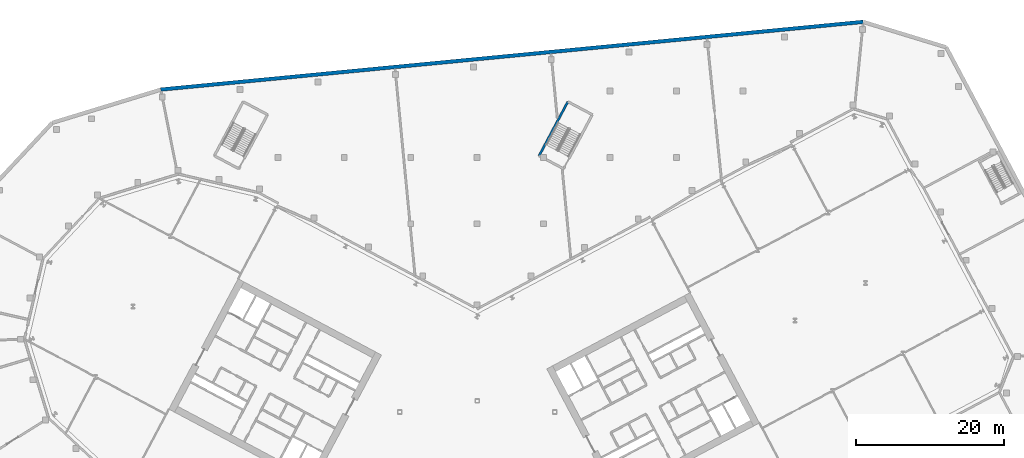
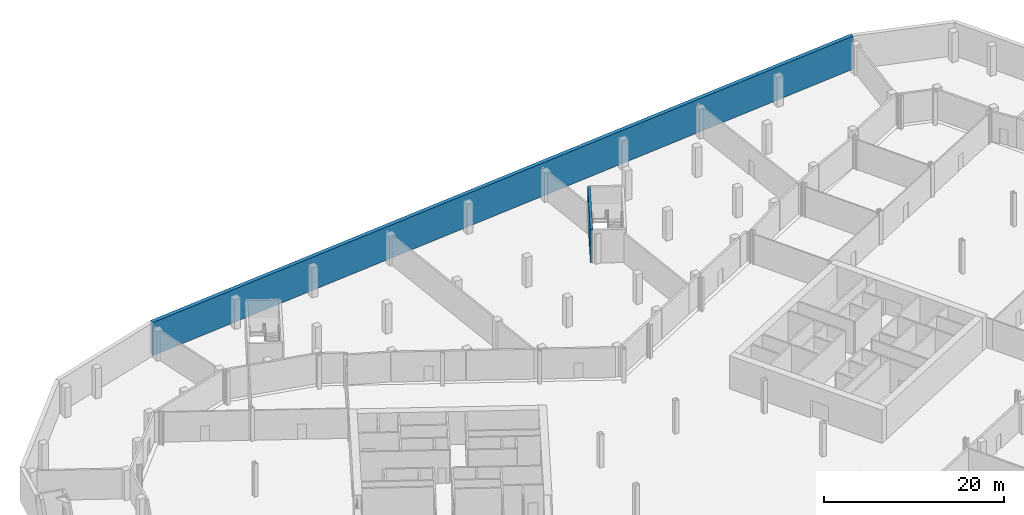
# One storey, part 17 of 27: 2 walls.
"""IFC4 building model written with IfcOpenShell, lengths in metres."""

from ifc_helpers import new_model, si_unit, direction, frame, frame_2d, origin, place, context, subcontext, project, spatial, rectangle, extrude, material, layer, layer_set, type_object, element, save


model = new_model("IFC4")

# Units and contexts
model_context = context("Model", 3, precision=1e-05, world=origin(), true_north=direction((0.0, 1.0)))
body_context = subcontext(model_context, "Body", "Model", "MODEL_VIEW")
ifc_project = project(units=[si_unit("LENGTHUNIT", "METRE"), si_unit("AREAUNIT", "SQUARE_METRE"), si_unit("VOLUMEUNIT", "CUBIC_METRE"), si_unit("PLANEANGLEUNIT", "RADIAN"), si_unit("MASSUNIT", "GRAM", prefix="KILO")], contexts=[model_context])

# Site, building, storey
site_placement = place(None, origin())
site = spatial("IfcSite", under=ifc_project, at=site_placement, CompositionType="ELEMENT")
building_placement = place(site_placement, origin())
building = spatial("IfcBuilding", under=site, at=building_placement, Name="Cormorant Relay Tower", CompositionType="ELEMENT")
storey_placement = place(building_placement, frame((0.0, 0.0, -4.5)))
storey = spatial("IfcBuildingStorey", under=building, at=storey_placement, Name="B1", CompositionType="ELEMENT", Elevation=-4.5)

# Walls
ifc_material_1 = material(Name="Concrete 50 MPa", Category="concrete")
ifc_layer_1 = layer(ifc_material_1, 0.300048828125)
ifc_layer_set_1 = layer_set([ifc_layer_1], Name="Remote stair wall 300")
wall_type_1 = type_object("IfcWallType", Name="Remote stair wall 300", PredefinedType="SHEAR", material=ifc_layer_set_1)
wall_1_placement = place(storey_placement, frame((8.396240234375, 45.216064453125, 0.0), z_axis=(0.0, 0.0, 1.0), x_axis=(0.469464178475, 0.882951519127, 0.0)))
element("IfcWall", 1, at=wall_1_placement, inside=storey, type_object=wall_type_1, Name="B1 exit stair RN1 wall", PredefinedType="SHEAR", context=body_context, shape_type="SweptSolid", body=[
    extrude(rectangle(XDim=8.2998046875, YDim=0.300048828125, at=frame_2d((4.14990234375, 0.0))), origin(), (0.0, 0.0, 1.0), 4.5),
])
ifc_material_2 = material(Name="Concrete 40 MPa", Category="concrete")
ifc_layer_2 = layer(ifc_material_2, 0.5)
ifc_layer_set_2 = layer_set([ifc_layer_2], Name="Retaining wall 500")
wall_type_2 = type_object("IfcWallType", Name="Retaining wall 500", PredefinedType="SOLIDWALL", material=ifc_layer_set_2)
wall_2_placement = place(storey_placement, frame((52.315185546875, 63.36279296875, 0.0), z_axis=(0.0, 0.0, 1.0), x_axis=(-0.995387233017, -0.095938815644, 0.0)))
element("IfcWall", 2, at=wall_2_placement, inside=storey, type_object=wall_type_2, Name="Retaining wall", PredefinedType="SOLIDWALL", context=body_context, shape_type="SweptSolid", body=[
    extrude(rectangle(XDim=95.624267578125, YDim=0.5, at=frame_2d((47.81201171875, 0.0))), origin(), (0.0, 0.0, 1.0), 4.5),
])

save(model, "model.ifc")
